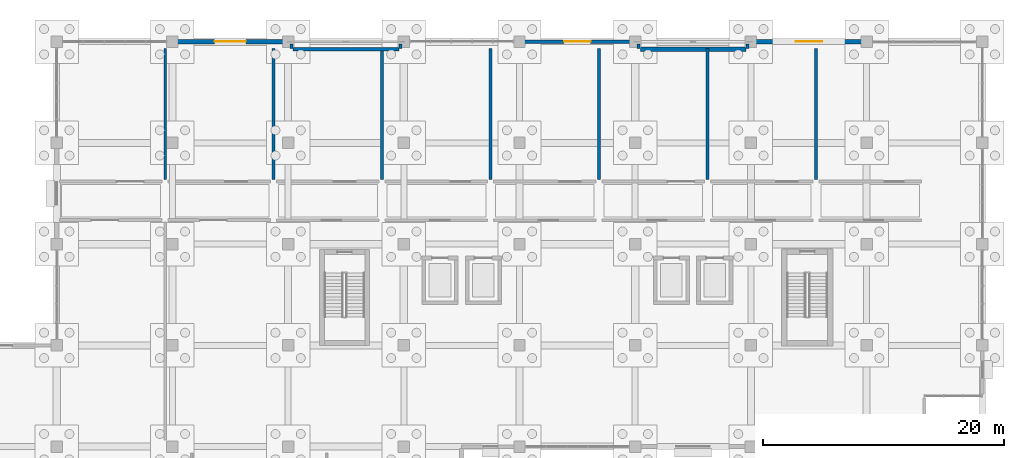
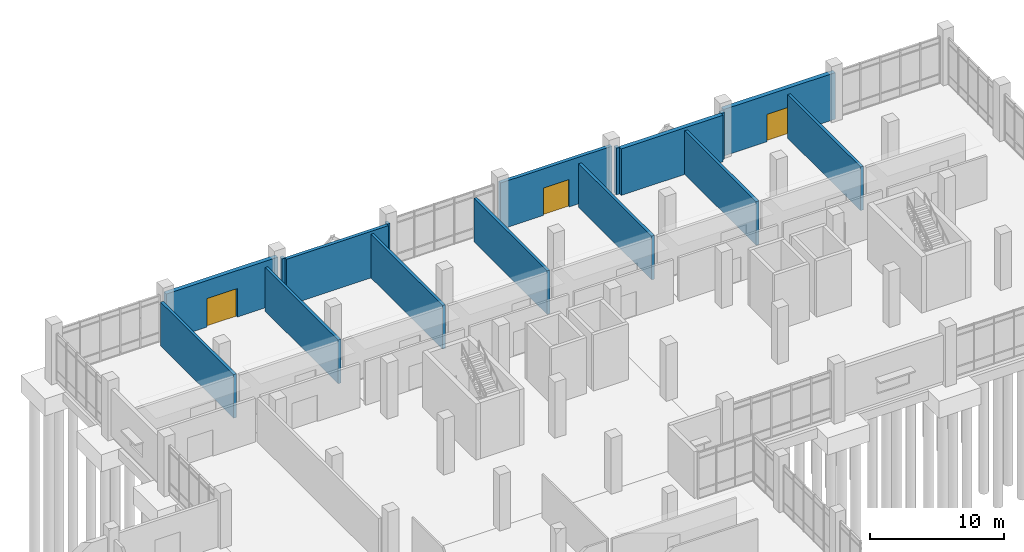
# One storey, part 119 of 136: 16 walls, 3 doors, 3 openings.
"""IFC4 building model written with IfcOpenShell, lengths in metres."""

from ifc_helpers import new_model, si_unit, direction, frame, frame_2d, origin, place, context, subcontext, project, spatial, rectangle, extrude, material, layer, layer_set, type_object, element, fill, save


model = new_model("IFC4")

# Units and contexts
model_context = context("Model", 3, precision=1e-05, world=origin(), true_north=direction((0.0, 1.0)))
body_context = subcontext(model_context, "Body", "Model", "MODEL_VIEW")
ifc_project = project(units=[si_unit("LENGTHUNIT", "METRE"), si_unit("AREAUNIT", "SQUARE_METRE"), si_unit("VOLUMEUNIT", "CUBIC_METRE"), si_unit("PLANEANGLEUNIT", "RADIAN"), si_unit("MASSUNIT", "GRAM", prefix="KILO")], contexts=[model_context])

# Site, building, storey
site_placement = place(None, origin())
site = spatial("IfcSite", under=ifc_project, at=site_placement, CompositionType="ELEMENT")
building_placement = place(site_placement, origin())
building = spatial("IfcBuilding", under=site, at=building_placement, Name="Oolite Switchyard Hospital", CompositionType="ELEMENT")
storey_placement = place(building_placement, origin())
storey = spatial("IfcBuildingStorey", under=building, at=storey_placement, Name="L00", CompositionType="ELEMENT", Elevation=0.0)

# Walls
ifc_material_1 = material(Name="Precast oolitic limestone architectural concrete C40/50", Category="masonry")
ifc_layer_1 = layer(ifc_material_1, 0.260009765625)
ifc_layer_set_1 = layer_set([ifc_layer_1], Name="WAL-EXT-260")
wall_type_1 = type_object("IfcWallType", Name="WAL-EXT-260", PredefinedType="SOLIDWALL", material=ifc_layer_set_1)
for number, where, z_axis, x_axis, name in (
    (1, (153.8798828125, 134.199951171875, 0.0), (0.0, 0.0, 1.0), (0.0, -1.0, 0.0), "L00 Brace Alcove Cheek Wall 34"),
    (2, (162.919921875, 134.199951171875, 0.0), (0.0, 0.0, 1.0), (0.0, -1.0, 0.0), "L00 Brace Alcove Cheek Wall 35"),
    (3, (182.679931640625, 134.199951171875, 0.0), (0.0, 0.0, 1.0), (0.0, -1.0, 0.0), "L00 Brace Alcove Cheek Wall 38"),
    (4, (191.719970703125, 134.199951171875, 0.0), (0.0, 0.0, 1.0), (0.0, -1.0, 0.0), "L00 Brace Alcove Cheek Wall 39"),
):
    element("IfcWall", number, at=place(storey_placement, frame(where, z_axis=z_axis, x_axis=x_axis)), inside=storey, type_object=wall_type_1, Name=name, PredefinedType="SOLIDWALL", context=body_context, shape_type="SweptSolid", body=[
        extrude(rectangle(XDim=0.35986328125, YDim=0.260009765625, at=frame_2d((0.179931640625, 0.0))), origin(), (0.0, 0.0, 1.0), 4.239990234375),
    ])
ifc_layer_2 = layer(ifc_material_1, 0.280029296875)
ifc_layer_set_2 = layer_set([ifc_layer_2], Name="WAL-EXT-280")
wall_type_2 = type_object("IfcWallType", Name="WAL-EXT-280", PredefinedType="SOLIDWALL", material=ifc_layer_set_2)
wall_1_placement = place(storey_placement, frame((154.02001953125, 133.780029296875, 0.0), z_axis=(0.0, 0.0, 1.0), x_axis=(1.0, 0.0, 0.0)))
element("IfcWall", 5, at=wall_1_placement, inside=storey, type_object=wall_type_2, Name="L00 Exterior Spandrel Wall 36", PredefinedType="SOLIDWALL", context=body_context, shape_type="SweptSolid", body=[
    extrude(rectangle(XDim=8.760009765625, YDim=0.280029296875, at=frame_2d((4.3798828125, 0.0))), origin(), (0.0, 0.0, 1.0), 4.239990234375),
])

# Wall, opening, door
ifc_layer_3 = layer(ifc_material_1, 0.300048828125)
ifc_layer_set_3 = layer_set([ifc_layer_3], Name="WAL-EXT-300")
wall_type_3 = type_object("IfcWallType", Name="WAL-EXT-300", PredefinedType="SOLIDWALL", material=ifc_layer_set_3)
wall_2_placement = place(storey_placement, frame((172.800048828125, 134.39990234375, 0.0), z_axis=(0.0, 0.0, 1.0), x_axis=(1.0, 0.0, 0.0)))
wall_2 = element("IfcWall", 6, at=wall_2_placement, inside=storey, type_object=wall_type_3, Name="L00 Exterior Spandrel Wall 37", PredefinedType="SOLIDWALL", context=body_context, shape_type="SweptSolid", body=[
    extrude(rectangle(XDim=9.599853515625, YDim=0.300048828125, at=frame_2d((4.7998046875, 0.0))), origin(), (0.0, 0.0, 1.0), 4.239990234375),
])
opening_1_placement = place(wall_2_placement, frame((3.699951171875, 0.0, 0.0)))
opening_1 = element("IfcOpeningElement", 7, at=opening_1_placement, cuts=wall_2, Name="Opening EX-15", PredefinedType="OPENING", context=body_context, shape_type="SweptSolid", body=[
    extrude(rectangle(XDim=2.199951171875, YDim=2.5, at=frame_2d((1.10009765625, 1.25))), frame((0.0, 0.16015625, 0.0), z_axis=(0.0, -1.0, 0.0), x_axis=(1.0, 0.0, 0.0)), (0.0, 0.0, 1.0), 0.320068359375),
])
ifc_material_2 = material(Name="Thermally broken aluminum frame with laminated impact glazing", Category="aluminium")
door_type_1 = type_object("IfcDoorType", Name="DR-EXT-220X250", OperationType="NOTDEFINED", PredefinedType="DOOR", material=ifc_material_2)
door_1_placement = place(opening_1_placement, origin())
door_1 = element("IfcDoor", 8, at=door_1_placement, inside=storey, type_object=door_type_1, Name="L00 Exterior EX EX-15", OperationType="DOUBLE_DOOR_SINGLE_SWING", OverallHeight=2.5, OverallWidth=2.199951171875, PredefinedType="DOOR", context=body_context, shape_type="SweptSolid", body=[
    extrude(rectangle(XDim=2.199951171875, YDim=2.5, at=frame_2d((1.10009765625, 1.25))), frame((0.0, 0.02490234375, 0.0), z_axis=(0.0, -1.0, 0.0), x_axis=(1.0, 0.0, 0.0)), (0.0, 0.0, 1.0), 0.050048828125),
])
fill(opening_1, door_1)

ifc_layer_4 = layer(ifc_material_1, 0.360107421875)
ifc_layer_set_4 = layer_set([ifc_layer_4], Name="WAL-EXT-360")
wall_type_4 = type_object("IfcWallType", Name="WAL-EXT-360", PredefinedType="SOLIDWALL", material=ifc_layer_set_4)
wall_3_placement = place(storey_placement, frame((144.0, 134.39990234375, 0.0), z_axis=(0.0, 0.0, 1.0), x_axis=(1.0, 0.0, 0.0)))
wall_3 = element("IfcWall", 9, at=wall_3_placement, inside=storey, type_object=wall_type_4, Name="L00 Exterior Spandrel Wall 33", PredefinedType="SOLIDWALL", context=body_context, shape_type="SweptSolid", body=[
    extrude(rectangle(XDim=9.60009765625, YDim=0.360107421875, at=frame_2d((4.800048828125, 0.0))), origin(), (0.0, 0.0, 1.0), 4.239990234375),
])
opening_2_placement = place(wall_3_placement, frame((3.5, 0.0, 0.0)))
opening_2 = element("IfcOpeningElement", 10, at=opening_2_placement, cuts=wall_3, Name="Opening EX-14", PredefinedType="OPENING", context=body_context, shape_type="SweptSolid", body=[
    extrude(rectangle(XDim=2.60009765625, YDim=2.60009765625, at=frame_2d((1.300048828125, 1.300048828125))), frame((0.0, 0.18994140625, 0.0), z_axis=(0.0, -1.0, 0.0), x_axis=(1.0, 0.0, 0.0)), (0.0, 0.0, 1.0), 0.380126953125),
])
door_type_2 = type_object("IfcDoorType", Name="DR-EXT-260X260", OperationType="NOTDEFINED", PredefinedType="DOOR", material=ifc_material_2)
door_2_placement = place(opening_2_placement, origin())
door_2 = element("IfcDoor", 11, at=door_2_placement, inside=storey, type_object=door_type_2, Name="L00 Exterior EX EX-14", OperationType="DOUBLE_DOOR_SINGLE_SWING", OverallHeight=2.60009765625, OverallWidth=2.60009765625, PredefinedType="DOOR", context=body_context, shape_type="SweptSolid", body=[
    extrude(rectangle(XDim=2.60009765625, YDim=2.60009765625, at=frame_2d((1.300048828125, 1.300048828125))), frame((0.0, 0.02490234375, 0.0), z_axis=(0.0, -1.0, 0.0), x_axis=(1.0, 0.0, 0.0)), (0.0, 0.0, 1.0), 0.050048828125),
])
fill(opening_2, door_2)

# Wall
wall_4_placement = place(storey_placement, frame((182.820068359375, 133.780029296875, 0.0), z_axis=(0.0, 0.0, 1.0), x_axis=(1.0, 0.0, 0.0)))
element("IfcWall", 12, at=wall_4_placement, inside=storey, type_object=wall_type_4, Name="L00 Exterior Spandrel Wall 40", PredefinedType="SOLIDWALL", context=body_context, shape_type="SweptSolid", body=[
    extrude(rectangle(XDim=8.760009765625, YDim=0.360107421875, at=frame_2d((4.3798828125, 0.0))), origin(), (0.0, 0.0, 1.0), 4.239990234375),
])

# Wall, opening, door
ifc_layer_5 = layer(ifc_material_1, 0.3798828125)
ifc_layer_set_5 = layer_set([ifc_layer_5], Name="WAL-EXT-380")
wall_type_5 = type_object("IfcWallType", Name="WAL-EXT-380", PredefinedType="SOLIDWALL", material=ifc_layer_set_5)
wall_5_placement = place(storey_placement, frame((192.0, 134.39990234375, 0.0), z_axis=(0.0, 0.0, 1.0), x_axis=(1.0, 0.0, 0.0)))
wall_5 = element("IfcWall", 13, at=wall_5_placement, inside=storey, type_object=wall_type_5, Name="L00 Exterior Spandrel Wall 41", PredefinedType="SOLIDWALL", context=body_context, shape_type="SweptSolid", body=[
    extrude(rectangle(XDim=9.60009765625, YDim=0.3798828125, at=frame_2d((4.800048828125, 0.0))), origin(), (0.0, 0.0, 1.0), 4.239990234375),
])
opening_3_placement = place(wall_5_placement, frame((3.699951171875, 0.0, 0.0)))
opening_3 = element("IfcOpeningElement", 14, at=opening_3_placement, cuts=wall_5, Name="Opening EX-16", PredefinedType="OPENING", context=body_context, shape_type="SweptSolid", body=[
    extrude(rectangle(XDim=2.199951171875, YDim=2.5, at=frame_2d((1.10009765625, 1.25))), frame((0.0, 0.199951171875, 0.0), z_axis=(0.0, -1.0, 0.0), x_axis=(1.0, 0.0, 0.0)), (0.0, 0.0, 1.0), 0.39990234375),
])
door_3_placement = place(opening_3_placement, origin())
door_3 = element("IfcDoor", 15, at=door_3_placement, inside=storey, type_object=door_type_1, Name="L00 Exterior EX EX-16", OperationType="DOUBLE_DOOR_SINGLE_SWING", OverallHeight=2.5, OverallWidth=2.199951171875, PredefinedType="DOOR", context=body_context, shape_type="SweptSolid", body=[
    extrude(rectangle(XDim=2.199951171875, YDim=2.5, at=frame_2d((1.10009765625, 1.25))), frame((0.0, 0.02490234375, 0.0), z_axis=(0.0, -1.0, 0.0), x_axis=(1.0, 0.0, 0.0)), (0.0, 0.0, 1.0), 0.050048828125),
])
fill(opening_3, door_3)

# Walls
ifc_material_3 = material(Name="Precast concrete C40/50", Category="concrete")
ifc_layer_6 = layer(ifc_material_3, 0.239990234375)
ifc_layer_set_6 = layer_set([ifc_layer_6], Name="WAL-PLANT-240")
wall_type_6 = type_object("IfcWallType", Name="WAL-PLANT-240", PredefinedType="PARTITIONING", material=ifc_layer_set_6)
for number, where, z_axis, x_axis, name in (
    (16, (143.39990234375, 122.949951171875, 0.0), (0.0, 0.0, 1.0), (0.0, 1.0, 0.0), "L00 Interior Partition 143"),
    (17, (152.39990234375, 122.949951171875, 0.0), (0.0, 0.0, 1.0), (0.0, 1.0, 0.0), "L00 Interior Partition 146"),
    (18, (161.39990234375, 122.949951171875, 0.0), (0.0, 0.0, 1.0), (0.0, 1.0, 0.0), "L00 Interior Partition 149"),
    (19, (170.39990234375, 122.949951171875, 0.0), (0.0, 0.0, 1.0), (0.0, 1.0, 0.0), "L00 Interior Partition 152"),
    (20, (179.39990234375, 122.949951171875, 0.0), (0.0, 0.0, 1.0), (0.0, 1.0, 0.0), "L00 Interior Partition 155"),
    (21, (188.39990234375, 122.949951171875, 0.0), (0.0, 0.0, 1.0), (0.0, 1.0, 0.0), "L00 Interior Partition 158"),
    (22, (197.39990234375, 122.949951171875, 0.0), (0.0, 0.0, 1.0), (0.0, 1.0, 0.0), "L00 Interior Partition 161"),
):
    element("IfcWall", number, at=place(storey_placement, frame(where, z_axis=z_axis, x_axis=x_axis)), inside=storey, type_object=wall_type_6, Name=name, PredefinedType="PARTITIONING", context=body_context, shape_type="SweptSolid", body=[
        extrude(rectangle(XDim=10.900146484375, YDim=0.239990234375, at=frame_2d((5.4501953125, 0.0))), origin(), (0.0, 0.0, 1.0), 3.97998046875),
    ])

save(model, "model.ifc")
